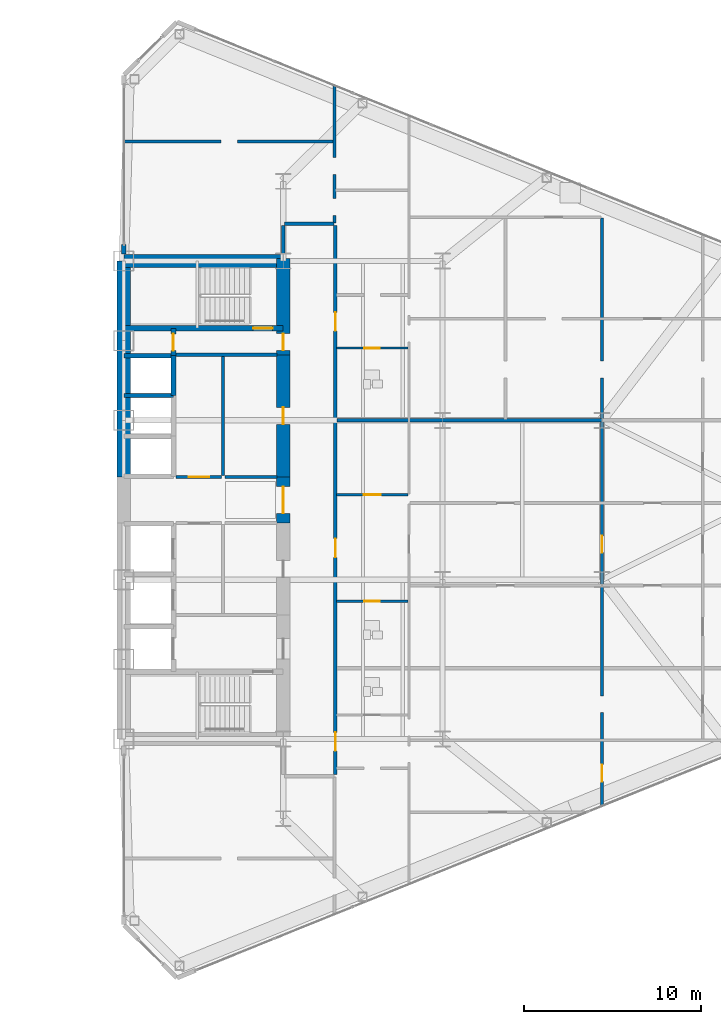
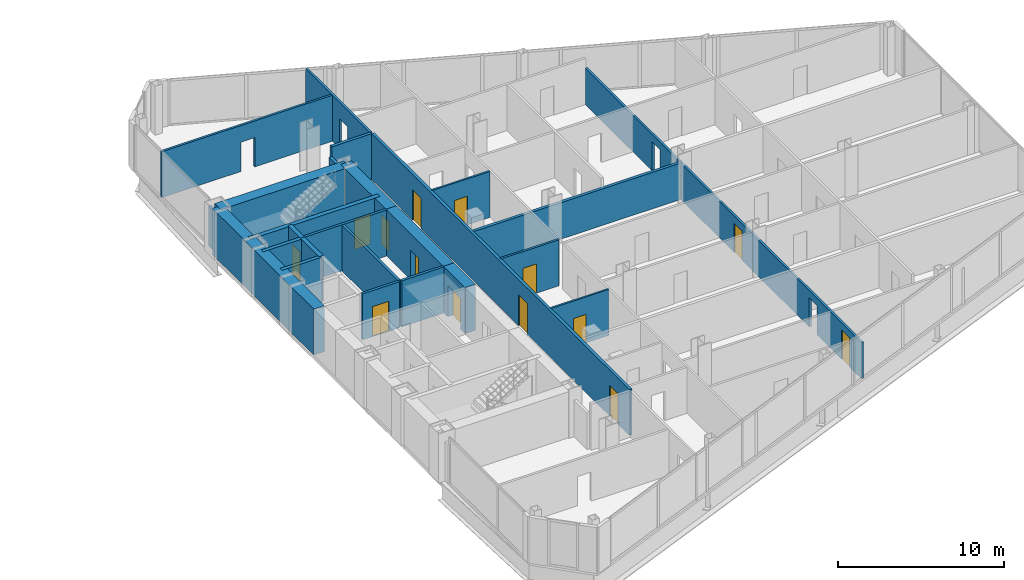
# One storey, part 22 of 26: 25 walls, 14 doors, 19 openings.
"""IFC4 building model written with IfcOpenShell, lengths in metres."""

from ifc_helpers import new_model, si_unit, direction, frame, frame_2d, origin, place, context, subcontext, project, spatial, rectangle, extrude, source, transform, mapped, material, layer, layer_set, type_object, type_shapes, element, fill, save


model = new_model("IFC4")

# Units and contexts
model_context = context("Model", 3, precision=1e-05, world=origin(), true_north=direction((0.0, 1.0)))
body_context = subcontext(model_context, "Body", "Model", "MODEL_VIEW")
ifc_project = project(units=[si_unit("LENGTHUNIT", "METRE"), si_unit("AREAUNIT", "SQUARE_METRE"), si_unit("VOLUMEUNIT", "CUBIC_METRE"), si_unit("PLANEANGLEUNIT", "RADIAN"), si_unit("MASSUNIT", "GRAM", prefix="KILO")], contexts=[model_context])

# Site, building, storey
site_placement = place(None, origin())
site = spatial("IfcSite", under=ifc_project, at=site_placement, CompositionType="ELEMENT")
building_placement = place(site_placement, origin())
building = spatial("IfcBuilding", under=site, at=building_placement, Name="Seokmaru Belvedere", CompositionType="ELEMENT")
storey_placement = place(building_placement, frame((0.0, 0.0, 18.89990234375)))
storey = spatial("IfcBuildingStorey", under=building, at=storey_placement, Name="L04", CompositionType="ELEMENT", Elevation=18.89990234375)

# Wall, opening, door
ifc_material_1 = material(Name="Fire-Rated Gypsum Shaftwall")
ifc_layer_1 = layer(ifc_material_1, 0.14990234375)
ifc_layer_set_1 = layer_set([ifc_layer_1], Name="Fire-Rated Gypsum Shaftwall")
wall_type_1 = type_object("IfcWallType", Name="Apartment Fire-Acoustic Room Partition 150", PredefinedType="PARTITIONING", material=ifc_layer_set_1)
wall_1_placement = place(storey_placement, frame((39.5, 0.300048828125, 0.0), z_axis=(0.0, 0.0, 1.0), x_axis=(1.0, 0.0, 0.0)))
wall_1 = element("IfcWall", 1, at=wall_1_placement, inside=storey, type_object=wall_type_1, Name="L04 Interior Partition 020", PredefinedType="PARTITIONING", context=body_context, shape_type="SweptSolid", body=[
    extrude(rectangle(XDim=4.050048828125, YDim=0.14990234375, at=frame_2d((2.02490234375, 0.0))), origin(), (0.0, 0.0, 1.0), 3.380126953125),
])
opening_1_placement = place(wall_1_placement, frame((1.550048828125, 0.0, 0.0)))
opening_1 = element("IfcOpeningElement", 2, at=opening_1_placement, cuts=wall_1, Name="Opening D05", PredefinedType="OPENING", context=body_context, shape_type="SweptSolid", body=[
    extrude(rectangle(XDim=0.949951171875, YDim=2.14990234375, at=frame_2d((0.47509765625, 1.074951171875))), frame((0.0, 0.0849609375, 0.0), z_axis=(0.0, -1.0, 0.0), x_axis=(1.0, 0.0, 0.0)), (0.0, 0.0, 1.0), 0.169921875),
])
ifc_material_2 = material(Name="Engineered White Oak Timber", Category="wood")
door_type_1 = type_object("IfcDoorType", Name="Apartment Interior Fire-Rated Oak Door 950x2150", OperationType="NOTDEFINED", PredefinedType="DOOR", material=ifc_material_2)
shared_shape_1 = source(origin(), body_context, "Body", "SweptSolid", [
    extrude(rectangle(XDim=0.949951171875, YDim=2.14990234375, at=frame_2d((0.47509765625, 1.074951171875))), frame((0.0, 0.02490234375, 0.0), z_axis=(0.0, -1.0, 0.0), x_axis=(1.0, 0.0, 0.0)), (0.0, 0.0, 1.0), 0.050048828125),
])
type_shapes(door_type_1, [shared_shape_1])
door_1_placement = place(opening_1_placement, origin())
door_1 = element("IfcDoor", 3, at=door_1_placement, inside=storey, type_object=door_type_1, Name="L04 Interior Door 055", OperationType="SINGLE_SWING_RIGHT", OverallHeight=2.14990234375, OverallWidth=0.949951171875, PredefinedType="DOOR", context=body_context, shape_type="MappedRepresentation", body=[
    mapped(shared_shape_1, transform((0.0, 0.0, 0.0), scale=1.0)),
])
fill(opening_1, door_1)

# Wall, opening
wall_2_placement = place(storey_placement, frame((27.465087890625, 20.25, 0.0), z_axis=(0.0, 0.0, 1.0), x_axis=(1.0, 0.0, 0.0)))
wall_2 = element("IfcWall", 4, at=wall_2_placement, inside=storey, type_object=wall_type_1, Name="L04 Interior Partition 037", PredefinedType="PARTITIONING", context=body_context, shape_type="SweptSolid", body=[
    extrude(rectangle(XDim=11.885009765625, YDim=0.14990234375, at=frame_2d((5.9423828125, 0.0))), origin(), (0.0, 0.0, 1.0), 3.380126953125),
])
opening_2_placement = place(wall_2_placement, frame((5.510009765625, 0.0, 0.0)))
element("IfcOpeningElement", 5, at=opening_2_placement, cuts=wall_2, Name="L04 Cased Opening 078", PredefinedType="OPENING", context=body_context, shape_type="SweptSolid", body=[
    extrude(rectangle(XDim=0.949951171875, YDim=2.14990234375, at=frame_2d((0.47509765625, 1.074951171875))), frame((0.0, 0.0849609375, 0.0), z_axis=(0.0, -1.0, 0.0), x_axis=(1.0, 0.0, 0.0)), (0.0, 0.0, 1.0), 0.169921875),
])

# Wall, openings
wall_3_placement = place(storey_placement, frame((39.39990234375, 15.64990234375, 0.0), z_axis=(0.0, 0.0, 1.0), x_axis=(0.0, 1.0, 0.0)))
wall_3 = element("IfcWall", 6, at=wall_3_placement, inside=storey, type_object=wall_type_1, Name="L04 Interior Partition 053", PredefinedType="PARTITIONING", context=body_context, shape_type="SweptSolid", body=[
    extrude(rectangle(XDim=7.783203125, YDim=0.14990234375, at=frame_2d((3.8916015625, 0.0))), origin(), (0.0, 0.0, 1.0), 3.380126953125),
])
opening_3_placement = place(wall_3_placement, frame((0.418701171875, 0.0, 0.0)))
element("IfcOpeningElement", 7, at=opening_3_placement, cuts=wall_3, Name="L04 Cased Opening 077", PredefinedType="OPENING", context=body_context, shape_type="SweptSolid", body=[
    extrude(rectangle(XDim=0.949951171875, YDim=2.14990234375, at=frame_2d((0.47509765625, 1.074951171875))), frame((0.0, 0.0849609375, 0.0), z_axis=(0.0, -1.0, 0.0), x_axis=(1.0, 0.0, 0.0)), (0.0, 0.0, 1.0), 0.169921875),
])
opening_4_placement = place(wall_3_placement, frame((2.743896484375, 0.0, 0.0)))
element("IfcOpeningElement", 8, at=opening_4_placement, cuts=wall_3, Name="L04 Cased Opening 079", PredefinedType="OPENING", context=body_context, shape_type="SweptSolid", body=[
    extrude(rectangle(XDim=0.949951171875, YDim=2.14990234375, at=frame_2d((0.47509765625, 1.074951171875))), frame((0.0, 0.0849609375, 0.0), z_axis=(0.0, -1.0, 0.0), x_axis=(1.0, 0.0, 0.0)), (0.0, 0.0, 1.0), 0.169921875),
])

# Wall, openings, doors
wall_4_placement = place(storey_placement, frame((54.5, -17.321044921875, 0.0), z_axis=(0.0, 0.0, 1.0), x_axis=(0.0, 1.0, 0.0)))
wall_4 = element("IfcWall", 9, at=wall_4_placement, inside=storey, type_object=wall_type_1, Name="L04 Interior Partition 058", PredefinedType="PARTITIONING", context=body_context, shape_type="SweptSolid", body=[
    extrude(rectangle(XDim=33.236083984375, YDim=0.14990234375, at=frame_2d((16.6181640625, 0.0))), origin(), (0.0, 0.0, 1.0), 2.68017578125),
])
opening_5_placement = place(wall_4_placement, frame((1.420166015625, 0.0, 0.0)))
opening_5 = element("IfcOpeningElement", 10, at=opening_5_placement, cuts=wall_4, Name="Opening D05", PredefinedType="OPENING", context=body_context, shape_type="SweptSolid", body=[
    extrude(rectangle(XDim=0.949951171875, YDim=2.14990234375, at=frame_2d((0.47509765625, 1.074951171875))), frame((0.0, 0.0849609375, 0.0), z_axis=(0.0, -1.0, 0.0), x_axis=(1.0, 0.0, 0.0)), (0.0, 0.0, 1.0), 0.169921875),
])
opening_6_placement = place(wall_4_placement, frame((5.31298828125, 0.0, 0.0)))
element("IfcOpeningElement", 11, at=opening_6_placement, cuts=wall_4, Name="L04 Cased Opening 049", PredefinedType="OPENING", context=body_context, shape_type="SweptSolid", body=[
    extrude(rectangle(XDim=0.949951171875, YDim=2.14990234375, at=frame_2d((0.47509765625, 1.074951171875))), frame((0.0, 0.0849609375, 0.0), z_axis=(0.0, -1.0, 0.0), x_axis=(1.0, 0.0, 0.0)), (0.0, 0.0, 1.0), 0.169921875),
])
opening_7_placement = place(wall_4_placement, frame((14.345947265625, 0.0, 0.0)))
opening_7 = element("IfcOpeningElement", 12, at=opening_7_placement, cuts=wall_4, Name="Opening D05", PredefinedType="OPENING", context=body_context, shape_type="SweptSolid", body=[
    extrude(rectangle(XDim=0.949951171875, YDim=2.14990234375, at=frame_2d((0.47509765625, 1.074951171875))), frame((0.0, 0.0849609375, 0.0), z_axis=(0.0, -1.0, 0.0), x_axis=(1.0, 0.0, 0.0)), (0.0, 0.0, 1.0), 0.169921875),
])
opening_8_placement = place(wall_4_placement, frame((24.21240234375, 0.0, 0.0)))
element("IfcOpeningElement", 13, at=opening_8_placement, cuts=wall_4, Name="L04 Cased Opening 071", PredefinedType="OPENING", context=body_context, shape_type="SweptSolid", body=[
    extrude(rectangle(XDim=0.949951171875, YDim=2.14990234375, at=frame_2d((0.47509765625, 1.074951171875))), frame((0.0, 0.0849609375, 0.0), z_axis=(0.0, -1.0, 0.0), x_axis=(1.0, 0.0, 0.0)), (0.0, 0.0, 1.0), 0.169921875),
])
door_2_placement = place(opening_5_placement, origin())
door_2 = element("IfcDoor", 14, at=door_2_placement, inside=storey, type_object=door_type_1, Name="L04 Interior Door 047", OperationType="SINGLE_SWING_LEFT", OverallHeight=2.14990234375, OverallWidth=0.949951171875, PredefinedType="DOOR", context=body_context, shape_type="MappedRepresentation", body=[
    mapped(shared_shape_1, transform((0.0, 0.0, 0.0), scale=1.0)),
])
fill(opening_5, door_2)
door_3_placement = place(opening_7_placement, origin())
door_3 = element("IfcDoor", 15, at=door_3_placement, inside=storey, type_object=door_type_1, Name="L04 Interior Door 057", OperationType="SINGLE_SWING_RIGHT", OverallHeight=2.14990234375, OverallWidth=0.949951171875, PredefinedType="DOOR", context=body_context, shape_type="MappedRepresentation", body=[
    mapped(shared_shape_1, transform((0.0, 0.0, 0.0), scale=1.0)),
])
fill(opening_7, door_3)

# Walls
ifc_layer_2 = layer(ifc_material_1, 0.179931640625)
ifc_layer_set_2 = layer_set([ifc_layer_2], Name="Fire-Rated Gypsum Shaftwall")
wall_type_2 = type_object("IfcWallType", Name="Core Service Fire Partition 180", PredefinedType="PARTITIONING", material=ifc_layer_set_2)
wall_5_placement = place(storey_placement, frame((30.449951171875, 8.199951171875, 0.0), z_axis=(0.0, 0.0, 1.0), x_axis=(1.0, 0.0, 0.0)))
element("IfcWall", 16, at=wall_5_placement, inside=storey, type_object=wall_type_2, Name="L04 East Smokeproof Vestibule Partition", PredefinedType="PARTITIONING", context=body_context, shape_type="SweptSolid", body=[
    extrude(rectangle(XDim=5.699951171875, YDim=0.179931640625, at=frame_2d((2.85009765625, 0.0))), origin(), (0.0, 0.0, 1.0), 3.380126953125),
])
wall_6_placement = place(storey_placement, frame((33.10009765625, 1.3798828125, 0.0), z_axis=(0.0, 0.0, 1.0), x_axis=(0.0, 1.0, 0.0)))
element("IfcWall", 17, at=wall_6_placement, inside=storey, type_object=wall_type_2, Name="L04 East North Core Service Back Wall", PredefinedType="PARTITIONING", context=body_context, shape_type="SweptSolid", body=[
    extrude(rectangle(XDim=6.740234375, YDim=0.179931640625, at=frame_2d((3.3701171875, 0.0))), origin(), (0.0, 0.0, 1.0), 3.380126953125),
])

# Wall, opening, door
wall_7_placement = place(storey_placement, frame((30.449951171875, 1.300048828125, 0.0), z_axis=(0.0, 0.0, 1.0), x_axis=(1.0, 0.0, 0.0)))
wall_7 = element("IfcWall", 18, at=wall_7_placement, inside=storey, type_object=wall_type_2, Name="L04 East North Lift Lobby Foyer Wall", PredefinedType="PARTITIONING", context=body_context, shape_type="SweptSolid", body=[
    extrude(rectangle(XDim=2.570068359375, YDim=0.179931640625, at=frame_2d((1.28515625, 0.0))), origin(), (0.0, 0.0, 1.0), 3.380126953125),
])
opening_9_placement = place(wall_7_placement, frame((0.7099609375, 0.0, 0.0)))
opening_9 = element("IfcOpeningElement", 19, at=opening_9_placement, cuts=wall_7, Name="Opening D02", PredefinedType="OPENING", context=body_context, shape_type="SweptSolid", body=[
    extrude(rectangle(XDim=1.14990234375, YDim=2.199951171875, at=frame_2d((0.574951171875, 1.10009765625))), frame((0.0, 0.10009765625, 0.0), z_axis=(0.0, -1.0, 0.0), x_axis=(1.0, 0.0, 0.0)), (0.0, 0.0, 1.0), 0.199951171875),
])
ifc_material_3 = material(Name="Fire-Rated Steel Leaf", Category="steel")
door_type_2 = type_object("IfcDoorType", Name="Lobby and Vestibule Fire Door 1150x2200", OperationType="NOTDEFINED", PredefinedType="DOOR", material=ifc_material_3)
shared_shape_2 = source(origin(), body_context, "Body", "SweptSolid", [
    extrude(rectangle(XDim=1.14990234375, YDim=2.199951171875, at=frame_2d((0.574951171875, 1.10009765625))), frame((0.0, 0.02490234375, 0.0), z_axis=(0.0, -1.0, 0.0), x_axis=(1.0, 0.0, 0.0)), (0.0, 0.0, 1.0), 0.050048828125),
])
type_shapes(door_type_2, [shared_shape_2])
door_4_placement = place(opening_9_placement, origin())
door_4 = element("IfcDoor", 20, at=door_4_placement, inside=storey, type_object=door_type_2, Name="L04 East North Lift Lobby Door", OperationType="SINGLE_SWING_LEFT", OverallHeight=2.199951171875, OverallWidth=1.14990234375, PredefinedType="DOOR", context=body_context, shape_type="MappedRepresentation", body=[
    mapped(shared_shape_2, transform((0.0, 0.0, 0.0), scale=1.0)),
])
fill(opening_9, door_4)

# Walls
wall_8_placement = place(storey_placement, frame((33.199951171875, 1.300048828125, 0.0), z_axis=(0.0, 0.0, 1.0), x_axis=(1.0, 0.0, 0.0)))
element("IfcWall", 21, at=wall_8_placement, inside=storey, type_object=wall_type_2, Name="L04 East Foyer Side Wall N", PredefinedType="PARTITIONING", context=body_context, shape_type="SweptSolid", body=[
    extrude(rectangle(XDim=2.949951171875, YDim=0.179931640625, at=frame_2d((1.47509765625, 0.0))), origin(), (0.0, 0.0, 1.0), 3.380126953125),
])
ifc_material_4 = material(Name="Concrete C50 (50 MPa)", Category="concrete")
ifc_layer_3 = layer(ifc_material_4, 0.25)
ifc_layer_set_3 = layer_set([ifc_layer_3], Name="Concrete C50 (50 MPa)")
wall_type_3 = type_object("IfcWallType", Name="Hoistway Transverse Concrete Divider Wall 250", PredefinedType="SHEAR", material=ifc_layer_set_3)
for number, where, z_axis, x_axis, name in (
    (22, (27.5, 5.89990234375, 0.0), (0.0, 0.0, 1.0), (1.0, 0.0, 0.0), "L04 East Hoistway Divider Core Wall 6"),
    (23, (27.5, 8.14990234375, 0.0), (0.0, 0.0, 1.0), (1.0, 0.0, 0.0), "L04 East Hoistway Divider Core Wall 7"),
):
    element("IfcWall", number, at=place(storey_placement, frame(where, z_axis=z_axis, x_axis=x_axis)), inside=storey, type_object=wall_type_3, Name=name, PredefinedType="SHEAR", context=body_context, shape_type="SweptSolid", body=[
        extrude(rectangle(XDim=2.800048828125, YDim=0.25, at=frame_2d((1.39990234375, 0.0))), origin(), (0.0, 0.0, 1.0), 3.380126953125),
    ])
ifc_layer_4 = layer(ifc_material_1, 0.199951171875)
ifc_layer_set_4 = layer_set([ifc_layer_4], Name="Fire-Rated Gypsum Shaftwall")
wall_type_4 = type_object("IfcWallType", Name="Inter-Tenancy Fire Compartment Partition 200", PredefinedType="PARTITIONING", material=ifc_layer_set_4)
wall_9_placement = place(storey_placement, frame((39.530029296875, 4.5, 0.0), z_axis=(0.0, 0.0, 1.0), x_axis=(1.0, 0.0, 0.0)))
element("IfcWall", 24, at=wall_9_placement, inside=storey, type_object=wall_type_4, Name="L04 Interior Partition 023", PredefinedType="PARTITIONING", context=body_context, shape_type="SweptSolid", body=[
    extrude(rectangle(XDim=14.989990234375, YDim=0.199951171875, at=frame_2d((7.4951171875, 0.0))), origin(), (0.0, 0.0, 1.0), 2.68017578125),
])
wall_10_placement = place(storey_placement, frame((36.5849609375, 15.60009765625, 0.0), z_axis=(0.0, 0.0, 1.0), x_axis=(1.0, 0.0, 0.0)))
element("IfcWall", 25, at=wall_10_placement, inside=storey, type_object=wall_type_4, Name="L04 Interior Partition 032", PredefinedType="PARTITIONING", context=body_context, shape_type="SweptSolid", body=[
    extrude(rectangle(XDim=2.780029296875, YDim=0.199951171875, at=frame_2d((1.39013671875, 0.0))), origin(), (0.0, 0.0, 1.0), 3.380126953125),
])
wall_11_placement = place(storey_placement, frame((36.5, 13.8798828125, 0.0), z_axis=(0.0, 0.0, 1.0), x_axis=(0.0, 1.0, 0.0)))
element("IfcWall", 26, at=wall_11_placement, inside=storey, type_object=wall_type_4, Name="L04 Interior Partition 051", PredefinedType="PARTITIONING", context=body_context, shape_type="SweptSolid", body=[
    extrude(rectangle(XDim=1.635009765625, YDim=0.199951171875, at=frame_2d((0.8173828125, 0.0))), origin(), (0.0, 0.0, 1.0), 2.68017578125),
])

# Wall, openings, doors
wall_12_placement = place(storey_placement, frame((39.449951171875, -15.514892578125, 0.0), z_axis=(0.0, 0.0, 1.0), x_axis=(0.0, 1.0, 0.0)))
wall_12 = element("IfcWall", 27, at=wall_12_placement, inside=storey, type_object=wall_type_4, Name="L04 Interior Partition 054", PredefinedType="PARTITIONING", context=body_context, shape_type="SweptSolid", body=[
    extrude(rectangle(XDim=31.02978515625, YDim=0.199951171875, at=frame_2d((15.514892578125, 0.0))), origin(), (0.0, 0.0, 1.0), 3.380126953125),
])
opening_10_placement = place(wall_12_placement, frame((1.344970703125, 0.0, 0.0)))
opening_10 = element("IfcOpeningElement", 28, at=opening_10_placement, cuts=wall_12, Name="Opening D03", PredefinedType="OPENING", context=body_context, shape_type="SweptSolid", body=[
    extrude(rectangle(XDim=1.050048828125, YDim=2.25, at=frame_2d((0.52490234375, 1.125))), frame((0.0, 0.10986328125, 0.0), z_axis=(0.0, -1.0, 0.0), x_axis=(1.0, 0.0, 0.0)), (0.0, 0.0, 1.0), 0.219970703125),
])
opening_11_placement = place(wall_12_placement, frame((12.280029296875, 0.0, 0.0)))
opening_11 = element("IfcOpeningElement", 29, at=opening_11_placement, cuts=wall_12, Name="Opening D03", PredefinedType="OPENING", context=body_context, shape_type="SweptSolid", body=[
    extrude(rectangle(XDim=1.050048828125, YDim=2.25, at=frame_2d((0.52490234375, 1.125))), frame((0.0, 0.10986328125, 0.0), z_axis=(0.0, -1.0, 0.0), x_axis=(1.0, 0.0, 0.0)), (0.0, 0.0, 1.0), 0.219970703125),
])
opening_12_placement = place(wall_12_placement, frame((25.0673828125, 0.0, 0.0)))
opening_12 = element("IfcOpeningElement", 30, at=opening_12_placement, cuts=wall_12, Name="Opening D03", PredefinedType="OPENING", context=body_context, shape_type="SweptSolid", body=[
    extrude(rectangle(XDim=1.050048828125, YDim=2.25, at=frame_2d((0.52490234375, 1.125))), frame((0.0, 0.10986328125, 0.0), z_axis=(0.0, -1.0, 0.0), x_axis=(1.0, 0.0, 0.0)), (0.0, 0.0, 1.0), 0.219970703125),
])
door_type_3 = type_object("IfcDoorType", Name="Apartment Entrance Fire Door 1050x2250", OperationType="NOTDEFINED", PredefinedType="DOOR", material=ifc_material_3)
shared_shape_3 = source(origin(), body_context, "Body", "SweptSolid", [
    extrude(rectangle(XDim=1.050048828125, YDim=2.25, at=frame_2d((0.52490234375, 1.125))), frame((0.0, 0.02490234375, 0.0), z_axis=(0.0, -1.0, 0.0), x_axis=(1.0, 0.0, 0.0)), (0.0, 0.0, 1.0), 0.050048828125),
])
type_shapes(door_type_3, [shared_shape_3])
door_5_placement = place(opening_10_placement, origin())
door_5 = element("IfcDoor", 31, at=door_5_placement, inside=storey, type_object=door_type_3, Name="L04 Interior Door 042", OperationType="SINGLE_SWING_LEFT", OverallHeight=2.25, OverallWidth=1.050048828125, PredefinedType="DOOR", context=body_context, shape_type="MappedRepresentation", body=[
    mapped(shared_shape_3, transform((0.0, 0.0, 0.0), scale=1.0)),
])
fill(opening_10, door_5)
door_6_placement = place(opening_11_placement, origin())
door_6 = element("IfcDoor", 32, at=door_6_placement, inside=storey, type_object=door_type_3, Name="L04 Interior Door 053", OperationType="SINGLE_SWING_RIGHT", OverallHeight=2.25, OverallWidth=1.050048828125, PredefinedType="DOOR", context=body_context, shape_type="MappedRepresentation", body=[
    mapped(shared_shape_3, transform((0.0, 0.0, 0.0), scale=1.0)),
])
fill(opening_11, door_6)
door_7_placement = place(opening_12_placement, origin())
door_7 = element("IfcDoor", 33, at=door_7_placement, inside=storey, type_object=door_type_3, Name="L04 Interior Door 065", OperationType="SINGLE_SWING_LEFT", OverallHeight=2.25, OverallWidth=1.050048828125, PredefinedType="DOOR", context=body_context, shape_type="MappedRepresentation", body=[
    mapped(shared_shape_3, transform((0.0, 0.0, 0.0), scale=1.0)),
])
fill(opening_12, door_7)

# Wall, opening, door
ifc_layer_5 = layer(ifc_material_4, 0.300048828125)
ifc_layer_set_5 = layer_set([ifc_layer_5], Name="Concrete C50 (50 MPa)")
wall_type_5 = type_object("IfcWallType", Name="Internal Core Stair and Hoistway Wall 300", PredefinedType="SHEAR", material=ifc_layer_set_5)
wall_13_placement = place(storey_placement, frame((27.5, 9.699951171875, 0.0), z_axis=(0.0, 0.0, 1.0), x_axis=(1.0, 0.0, 0.0)))
wall_13 = element("IfcWall", 34, at=wall_13_placement, inside=storey, type_object=wall_type_5, Name="L04 East Stair ST-2 Enclosure Wall", PredefinedType="SHEAR", context=body_context, shape_type="SweptSolid", body=[
    extrude(rectangle(XDim=9.0, YDim=0.300048828125, at=frame_2d((4.5, 0.0))), origin(), (0.0, 0.0, 1.0), 3.380126953125),
])
opening_13_placement = place(wall_13_placement, frame((7.300048828125, 0.0, 0.0)))
opening_13 = element("IfcOpeningElement", 35, at=opening_13_placement, cuts=wall_13, Name="Opening D01", PredefinedType="OPENING", context=body_context, shape_type="SweptSolid", body=[
    extrude(rectangle(XDim=1.10009765625, YDim=2.199951171875, at=frame_2d((0.550048828125, 1.10009765625))), frame((0.0, 0.16015625, 0.0), z_axis=(0.0, -1.0, 0.0), x_axis=(1.0, 0.0, 0.0)), (0.0, 0.0, 1.0), 0.320068359375),
])
door_type_4 = type_object("IfcDoorType", Name="Special Escape Stair Smokeproof Fire Door 1100x2200", OperationType="NOTDEFINED", PredefinedType="DOOR", material=ifc_material_3)
shared_shape_4 = source(origin(), body_context, "Body", "SweptSolid", [
    extrude(rectangle(XDim=1.10009765625, YDim=2.199951171875, at=frame_2d((0.550048828125, 1.10009765625))), frame((0.0, 0.02490234375, 0.0), z_axis=(0.0, -1.0, 0.0), x_axis=(1.0, 0.0, 0.0)), (0.0, 0.0, 1.0), 0.050048828125),
])
type_shapes(door_type_4, [shared_shape_4])
door_8_placement = place(opening_13_placement, origin())
door_8 = element("IfcDoor", 36, at=door_8_placement, inside=storey, type_object=door_type_4, Name="L04 East Special Escape Stair ST-2 Door", OperationType="SINGLE_SWING_LEFT", OverallHeight=2.199951171875, OverallWidth=1.10009765625, PredefinedType="DOOR", context=body_context, shape_type="MappedRepresentation", body=[
    mapped(shared_shape_4, transform((0.0, 0.0, 0.0), scale=1.0)),
])
fill(opening_13, door_8)

# Wall
wall_14_placement = place(storey_placement, frame((30.300048828125, 5.89990234375, 0.0), z_axis=(0.0, 0.0, 1.0), x_axis=(0.0, 1.0, 0.0)))
element("IfcWall", 37, at=wall_14_placement, inside=storey, type_object=wall_type_5, Name="L04 East North Hoistway Wall OBS", PredefinedType="SHEAR", context=body_context, shape_type="SweptSolid", body=[
    extrude(rectangle(XDim=2.25, YDim=0.300048828125, at=frame_2d((1.125, 0.0))), origin(), (0.0, 0.0, 1.0), 3.380126953125),
])

# Wall, opening, door
wall_15_placement = place(storey_placement, frame((30.300048828125, 8.14990234375, 0.0), z_axis=(0.0, 0.0, 1.0), x_axis=(0.0, 1.0, 0.0)))
wall_15 = element("IfcWall", 38, at=wall_15_placement, inside=storey, type_object=wall_type_5, Name="L04 East Electrical Riser Front Wall", PredefinedType="SHEAR", context=body_context, shape_type="SweptSolid", body=[
    extrude(rectangle(XDim=1.530029296875, YDim=0.300048828125, at=frame_2d((0.76513671875, 0.0))), origin(), (0.0, 0.0, 1.0), 3.380126953125),
])
opening_14_placement = place(wall_15_placement, frame((0.284912109375, 0.0, 0.0)))
opening_14 = element("IfcOpeningElement", 39, at=opening_14_placement, cuts=wall_15, Name="Opening D04", PredefinedType="OPENING", context=body_context, shape_type="SweptSolid", body=[
    extrude(rectangle(XDim=0.949951171875, YDim=2.14990234375, at=frame_2d((0.47509765625, 1.074951171875))), frame((0.0, 0.16015625, 0.0), z_axis=(0.0, -1.0, 0.0), x_axis=(1.0, 0.0, 0.0)), (0.0, 0.0, 1.0), 0.320068359375),
])
door_type_5 = type_object("IfcDoorType", Name="Core Service Room Fire Door 950x2150", OperationType="NOTDEFINED", PredefinedType="DOOR", material=ifc_material_3)
shared_shape_5 = source(origin(), body_context, "Body", "SweptSolid", [
    extrude(rectangle(XDim=0.949951171875, YDim=2.14990234375, at=frame_2d((0.47509765625, 1.074951171875))), frame((0.0, 0.02490234375, 0.0), z_axis=(0.0, -1.0, 0.0), x_axis=(1.0, 0.0, 0.0)), (0.0, 0.0, 1.0), 0.050048828125),
])
type_shapes(door_type_5, [shared_shape_5])
door_9_placement = place(opening_14_placement, origin())
door_9 = element("IfcDoor", 40, at=door_9_placement, inside=storey, type_object=door_type_5, Name="L04 East Electrical Riser Access Door", OperationType="SINGLE_SWING_RIGHT", OverallHeight=2.14990234375, OverallWidth=0.949951171875, PredefinedType="DOOR", context=body_context, shape_type="MappedRepresentation", body=[
    mapped(shared_shape_5, transform((0.0, 0.0, 0.0), scale=1.0)),
])
fill(opening_14, door_9)

# Walls
ifc_material_5 = material(Name="Concrete C60 (60 MPa)", Category="concrete")
ifc_layer_6 = layer(ifc_material_5, 0.75)
ifc_layer_set_6 = layer_set([ifc_layer_6], Name="Concrete C60 (60 MPa)")
wall_type_6 = type_object("IfcWallType", Name="Lower Tower Reinforced Concrete Core Wall 750", PredefinedType="SHEAR", material=ifc_layer_set_6)
wall_16_placement = place(storey_placement, frame((27.5, 1.300048828125, 0.0), z_axis=(0.0, 0.0, 1.0), x_axis=(0.0, 1.0, 0.0)))
element("IfcWall", 41, at=wall_16_placement, inside=storey, type_object=wall_type_6, Name="L04 East Portal Spine Core Wall North", PredefinedType="SHEAR", context=body_context, shape_type="SweptSolid", body=[
    extrude(rectangle(XDim=12.199951171875, YDim=0.75, at=frame_2d((6.10009765625, 0.0))), origin(), (0.0, 0.0, 1.0), 3.380126953125),
])
wall_17_placement = place(storey_placement, frame((27.5, 13.5, 0.0), z_axis=(0.0, 0.0, 1.0), x_axis=(1.0, 0.0, 0.0)))
element("IfcWall", 42, at=wall_17_placement, inside=storey, type_object=wall_type_6, Name="L04 East North Core Wall", PredefinedType="SHEAR", context=body_context, shape_type="SweptSolid", body=[
    extrude(rectangle(XDim=9.0, YDim=0.75, at=frame_2d((4.5, 0.0))), origin(), (0.0, 0.0, 1.0), 3.380126953125),
])

# Wall, opening, door
wall_18_placement = place(storey_placement, frame((36.5, -1.300048828125, 0.0), z_axis=(0.0, 0.0, 1.0), x_axis=(0.0, 1.0, 0.0)))
wall_18 = element("IfcWall", 43, at=wall_18_placement, inside=storey, type_object=wall_type_6, Name="L04 East West Core Wall FOY", PredefinedType="SHEAR", context=body_context, shape_type="SweptSolid", body=[
    extrude(rectangle(XDim=2.60009765625, YDim=0.75, at=frame_2d((1.300048828125, 0.0))), origin(), (0.0, 0.0, 1.0), 3.380126953125),
])
opening_15_placement = place(wall_18_placement, frame((0.550048828125, 0.0, 0.0)))
opening_15 = element("IfcOpeningElement", 44, at=opening_15_placement, cuts=wall_18, Name="Opening D08", PredefinedType="OPENING", context=body_context, shape_type="SweptSolid", body=[
    extrude(rectangle(XDim=1.5, YDim=2.300048828125, at=frame_2d((0.75, 1.14990234375))), frame((0.0, 0.385009765625, 0.0), z_axis=(0.0, -1.0, 0.0), x_axis=(1.0, 0.0, 0.0)), (0.0, 0.0, 1.0), 0.77001953125),
])
door_type_6 = type_object("IfcDoorType", Name="Cross-Corridor Compartment Double Fire Door 1500x2300", OperationType="DOUBLE_SWING_LEFT", PredefinedType="DOOR", material=ifc_material_3)
shared_shape_6 = source(origin(), body_context, "Body", "SweptSolid", [
    extrude(rectangle(XDim=1.5, YDim=2.300048828125, at=frame_2d((0.75, 1.14990234375))), frame((0.0, 0.02490234375, 0.0), z_axis=(0.0, -1.0, 0.0), x_axis=(1.0, 0.0, 0.0)), (0.0, 0.0, 1.0), 0.050048828125),
])
type_shapes(door_type_6, [shared_shape_6])
door_10_placement = place(opening_15_placement, origin())
door_10 = element("IfcDoor", 45, at=door_10_placement, inside=storey, type_object=door_type_6, Name="L04 East Core Foyer Compartment Door", OperationType="DOUBLE_SWING_LEFT", OverallHeight=2.300048828125, OverallWidth=1.5, PredefinedType="DOOR", context=body_context, shape_type="MappedRepresentation", body=[
    mapped(shared_shape_6, transform((0.0, 0.0, 0.0), scale=1.0)),
])
fill(opening_15, door_10)

wall_19_placement = place(storey_placement, frame((36.5, 8.199951171875, 0.0), z_axis=(0.0, 0.0, 1.0), x_axis=(0.0, 1.0, 0.0)))
wall_19 = element("IfcWall", 46, at=wall_19_placement, inside=storey, type_object=wall_type_6, Name="L04 East West Core Wall VST", PredefinedType="SHEAR", context=body_context, shape_type="SweptSolid", body=[
    extrude(rectangle(XDim=5.449951171875, YDim=0.75, at=frame_2d((2.72509765625, 0.0))), origin(), (0.0, 0.0, 1.0), 3.380126953125),
])
opening_16_placement = place(wall_19_placement, frame((0.2451171875, 0.0, 0.0)))
opening_16 = element("IfcOpeningElement", 47, at=opening_16_placement, cuts=wall_19, Name="Opening D04", PredefinedType="OPENING", context=body_context, shape_type="SweptSolid", body=[
    extrude(rectangle(XDim=0.949951171875, YDim=2.14990234375, at=frame_2d((0.47509765625, 1.074951171875))), frame((0.0, 0.385009765625, 0.0), z_axis=(0.0, -1.0, 0.0), x_axis=(1.0, 0.0, 0.0)), (0.0, 0.0, 1.0), 0.77001953125),
])
door_11_placement = place(opening_16_placement, origin())
door_11 = element("IfcDoor", 48, at=door_11_placement, inside=storey, type_object=door_type_5, Name="L04 East Smokeproof Vestibule Door", OperationType="SINGLE_SWING_LEFT", OverallHeight=2.14990234375, OverallWidth=0.949951171875, PredefinedType="DOOR", context=body_context, shape_type="MappedRepresentation", body=[
    mapped(shared_shape_5, transform((0.0, 0.0, 0.0), scale=1.0)),
])
fill(opening_16, door_11)

wall_20_placement = place(storey_placement, frame((36.5, 1.300048828125, 0.0), z_axis=(0.0, 0.0, 1.0), x_axis=(0.0, 1.0, 0.0)))
wall_20 = element("IfcWall", 49, at=wall_20_placement, inside=storey, type_object=wall_type_6, Name="L04 East West Core Wall CS2", PredefinedType="SHEAR", context=body_context, shape_type="SweptSolid", body=[
    extrude(rectangle(XDim=6.89990234375, YDim=0.75, at=frame_2d((3.449951171875, 0.0))), origin(), (0.0, 0.0, 1.0), 3.380126953125),
])
opening_17_placement = place(wall_20_placement, frame((2.97509765625, 0.0, 0.0)))
opening_17 = element("IfcOpeningElement", 50, at=opening_17_placement, cuts=wall_20, Name="Opening D04", PredefinedType="OPENING", context=body_context, shape_type="SweptSolid", body=[
    extrude(rectangle(XDim=0.949951171875, YDim=2.14990234375, at=frame_2d((0.47509765625, 1.074951171875))), frame((0.0, 0.385009765625, 0.0), z_axis=(0.0, -1.0, 0.0), x_axis=(1.0, 0.0, 0.0)), (0.0, 0.0, 1.0), 0.77001953125),
])
door_12_placement = place(opening_17_placement, origin())
door_12 = element("IfcDoor", 51, at=door_12_placement, inside=storey, type_object=door_type_5, Name="L04 East Core Service Room Door 2", OperationType="SINGLE_SWING_LEFT", OverallHeight=2.14990234375, OverallWidth=0.949951171875, PredefinedType="DOOR", context=body_context, shape_type="MappedRepresentation", body=[
    mapped(shared_shape_5, transform((0.0, 0.0, 0.0), scale=1.0)),
])
fill(opening_17, door_12)

ifc_layer_7 = layer(ifc_material_1, 0.1298828125)
ifc_layer_set_7 = layer_set([ifc_layer_7], Name="Fire-Rated Gypsum Shaftwall")
wall_type_7 = type_object("IfcWallType", Name="Moisture-Resistant Fire-Rated Bathroom Partition 130", PredefinedType="PARTITIONING", material=ifc_layer_set_7)
wall_21_placement = place(storey_placement, frame((39.5, -5.719970703125, 0.0), z_axis=(0.0, 0.0, 1.0), x_axis=(1.0, 0.0, 0.0)))
wall_21 = element("IfcWall", 52, at=wall_21_placement, inside=storey, type_object=wall_type_7, Name="L04 Interior Partition 015", PredefinedType="PARTITIONING", context=body_context, shape_type="SweptSolid", body=[
    extrude(rectangle(XDim=4.050048828125, YDim=0.1298828125, at=frame_2d((2.02490234375, 0.0))), origin(), (0.0, 0.0, 1.0), 3.380126953125),
])
opening_18_placement = place(wall_21_placement, frame((1.5849609375, 0.0, 0.0)))
opening_18 = element("IfcOpeningElement", 53, at=opening_18_placement, cuts=wall_21, Name="Opening D06", PredefinedType="OPENING", context=body_context, shape_type="SweptSolid", body=[
    extrude(rectangle(XDim=0.8798828125, YDim=2.10009765625, at=frame_2d((0.43994140625, 1.050048828125))), frame((0.0, 0.074951171875, 0.0), z_axis=(0.0, -1.0, 0.0), x_axis=(1.0, 0.0, 0.0)), (0.0, 0.0, 1.0), 0.14990234375),
])
door_type_7 = type_object("IfcDoorType", Name="Bathroom and Restroom Fire-Rated Door 880x2100", OperationType="NOTDEFINED", PredefinedType="DOOR", material=ifc_material_2)
shared_shape_7 = source(origin(), body_context, "Body", "SweptSolid", [
    extrude(rectangle(XDim=0.8798828125, YDim=2.10009765625, at=frame_2d((0.43994140625, 1.050048828125))), frame((0.0, 0.02490234375, 0.0), z_axis=(0.0, -1.0, 0.0), x_axis=(1.0, 0.0, 0.0)), (0.0, 0.0, 1.0), 0.050048828125),
])
type_shapes(door_type_7, [shared_shape_7])
door_13_placement = place(opening_18_placement, origin())
door_13 = element("IfcDoor", 54, at=door_13_placement, inside=storey, type_object=door_type_7, Name="L04 Interior Door 054", OperationType="SINGLE_SWING_RIGHT", OverallHeight=2.10009765625, OverallWidth=0.8798828125, PredefinedType="DOOR", context=body_context, shape_type="MappedRepresentation", body=[
    mapped(shared_shape_7, transform((0.0, 0.0, 0.0), scale=1.0)),
])
fill(opening_18, door_13)

wall_22_placement = place(storey_placement, frame((39.5, 8.580078125, 0.0), z_axis=(0.0, 0.0, 1.0), x_axis=(1.0, 0.0, 0.0)))
wall_22 = element("IfcWall", 55, at=wall_22_placement, inside=storey, type_object=wall_type_7, Name="L04 Interior Partition 025", PredefinedType="PARTITIONING", context=body_context, shape_type="SweptSolid", body=[
    extrude(rectangle(XDim=4.050048828125, YDim=0.1298828125, at=frame_2d((2.02490234375, 0.0))), origin(), (0.0, 0.0, 1.0), 3.380126953125),
])
opening_19_placement = place(wall_22_placement, frame((1.5849609375, 0.0, 0.0)))
opening_19 = element("IfcOpeningElement", 56, at=opening_19_placement, cuts=wall_22, Name="Opening D06", PredefinedType="OPENING", context=body_context, shape_type="SweptSolid", body=[
    extrude(rectangle(XDim=0.8798828125, YDim=2.10009765625, at=frame_2d((0.43994140625, 1.050048828125))), frame((0.0, 0.074951171875, 0.0), z_axis=(0.0, -1.0, 0.0), x_axis=(1.0, 0.0, 0.0)), (0.0, 0.0, 1.0), 0.14990234375),
])
door_14_placement = place(opening_19_placement, origin())
door_14 = element("IfcDoor", 57, at=door_14_placement, inside=storey, type_object=door_type_7, Name="L04 Interior Door 066", OperationType="SINGLE_SWING_RIGHT", OverallHeight=2.10009765625, OverallWidth=0.8798828125, PredefinedType="DOOR", context=body_context, shape_type="MappedRepresentation", body=[
    mapped(shared_shape_7, transform((0.0, 0.0, 0.0), scale=1.0)),
])
fill(opening_19, door_14)

# Wall
ifc_material_6 = material(Name="Anodised Bronze Aluminium", Category="aluminium")
ifc_layer_8 = layer(ifc_material_6, 0.239990234375)
ifc_layer_set_8 = layer_set([ifc_layer_8], Name="Anodised Bronze Aluminium")
wall_type_8 = type_object("IfcWallType", Name="Tower Corner Spandrel Closure Wall 240", PredefinedType="SOLIDWALL", material=ifc_layer_set_8)
wall_23_placement = place(storey_placement, frame((27.5, 13.8798828125, 0.0), z_axis=(0.0, 0.0, 1.0), x_axis=(0.0, 1.0, 0.0)))
element("IfcWall", 58, at=wall_23_placement, inside=storey, type_object=wall_type_8, Name="L04 E Spine Closure Pier 2A", PredefinedType="SOLIDWALL", context=body_context, shape_type="SweptSolid", body=[
    extrude(rectangle(XDim=0.550048828125, YDim=0.239990234375, at=frame_2d((0.27490234375, 0.0))), origin(), (0.0, 0.0, 1.0), 2.880126953125),
])

save(model, "model.ifc")
